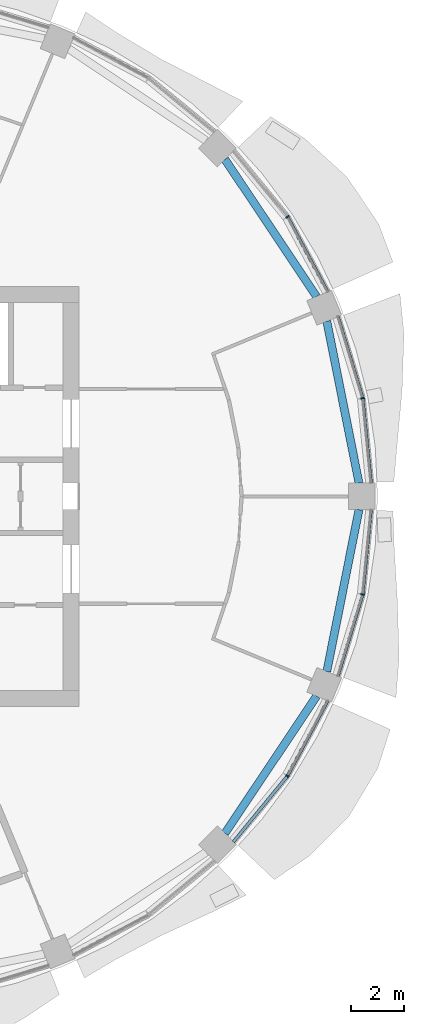
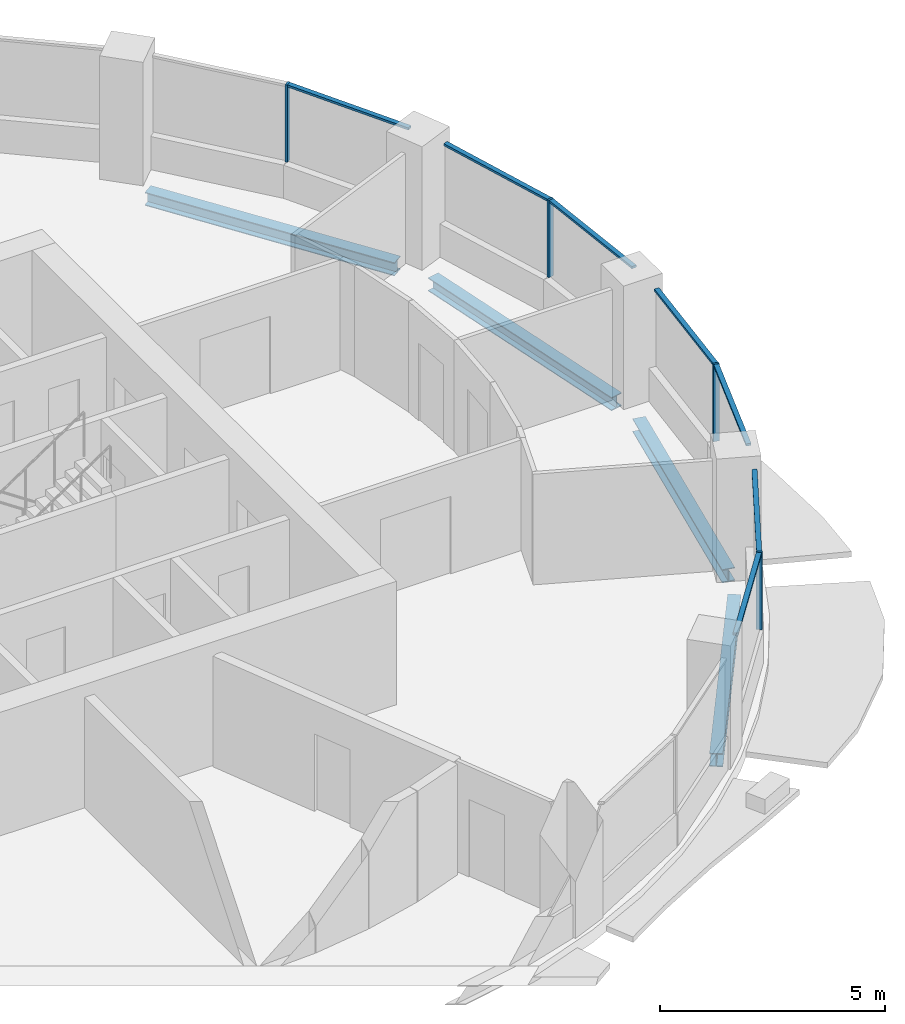
# One storey, part 5 of 15: 11 members, 4 beams, 4 elements without a shape of their own.
"""IFC4 building model written with IfcOpenShell, lengths in metres."""

from ifc_helpers import new_model, si_unit, direction, frame, origin, origin_2d, place, context, subcontext, project, spatial, rectangle, i_section, extrude, material, material_profile, profile_set, type_object, element, aggregate, save


model = new_model("IFC4")

# Units and contexts
model_context = context("Model", 3, precision=1e-05, world=origin(), true_north=direction((0.0, 1.0)))
body_context = subcontext(model_context, "Body", "Model", "MODEL_VIEW")
ifc_project = project(units=[si_unit("LENGTHUNIT", "METRE"), si_unit("AREAUNIT", "SQUARE_METRE"), si_unit("VOLUMEUNIT", "CUBIC_METRE"), si_unit("PLANEANGLEUNIT", "RADIAN"), si_unit("MASSUNIT", "GRAM", prefix="KILO")], contexts=[model_context])

# Site, building, storey
site_placement = place(None, origin())
site = spatial("IfcSite", under=ifc_project, at=site_placement, CompositionType="ELEMENT")
building_placement = place(site_placement, origin())
building = spatial("IfcBuilding", under=site, at=building_placement, Name="Polderwave Tower", CompositionType="ELEMENT")
storey_placement = place(building_placement, frame((0.0, 0.0, 120.949951171875)))
storey = spatial("IfcBuildingStorey", under=building, at=storey_placement, Name="L31", CompositionType="ELEMENT", Elevation=120.949951171875)

# Curtain wall, member
ifc_material_1 = material(Name="Aluminium 6063-T6 and glass", Category="aluminium")
curtain_wall_type = type_object("IfcCurtainWallType", Name="Office ribbon glazing wall", PredefinedType="NOTDEFINED", material=ifc_material_1)
curtain_wall_1_placement = place(storey_placement, origin())
curtain_wall_1 = element("IfcCurtainWall", 1, at=curtain_wall_1_placement, inside=storey, type_object=curtain_wall_type, Name="CW3 L31 00", PredefinedType="NOTDEFINED")
ifc_material_2 = material(Name="Aluminium 6063-T6", Category="aluminium")
ifc_material_profile_1 = material_profile(ifc_material_2, rectangle(XDim=0.139892578125, YDim=0.054931640625, at=origin_2d()), Name="AL 55x140")
ifc_profile_set_1 = profile_set([ifc_material_profile_1], Name="Aluminium 6063-T6")
member_type_1 = type_object("IfcMemberType", Name="Office ribbon glazing mullion 55x140", PredefinedType="MULLION", material=ifc_profile_set_1)
member_1_placement = place(storey_placement, frame((18.498046875, 3.678955078125, 0.900146484375), z_axis=(0.0, 0.0, 1.0), x_axis=(-0.98077778875, -0.195127981324, 0.0)))
member_1 = element("IfcMember", 2, at=member_1_placement, type_object=member_type_1, Name="CW3 mullion 1", PredefinedType="MULLION", context=body_context, shape_type="SweptSolid", body=[
    extrude(rectangle(XDim=0.139892578125, YDim=0.054931640625, at=origin_2d()), origin(), (0.0, 0.0, 1.0), 2.099853515625),
])

curtain_wall_2_placement = place(storey_placement, origin())
curtain_wall_2 = element("IfcCurtainWall", 3, at=curtain_wall_2_placement, inside=storey, type_object=curtain_wall_type, Name="CW3 L31 01", PredefinedType="NOTDEFINED")
member_2_placement = place(storey_placement, frame((15.681884765625, 10.47802734375, 0.900146484375), z_axis=(0.0, 0.0, 1.0), x_axis=(-0.831453127836, -0.555594902975, 0.0)))
member_2 = element("IfcMember", 4, at=member_2_placement, type_object=member_type_1, Name="CW3 mullion 1", PredefinedType="MULLION", context=body_context, shape_type="SweptSolid", body=[
    extrude(rectangle(XDim=0.139892578125, YDim=0.054931640625, at=origin_2d()), origin(), (0.0, 0.0, 1.0), 2.099853515625),
])

curtain_wall_3_placement = place(storey_placement, origin())
curtain_wall_3 = element("IfcCurtainWall", 5, at=curtain_wall_3_placement, inside=storey, type_object=curtain_wall_type, Name="CW3 L31 14", PredefinedType="NOTDEFINED")
member_3_placement = place(storey_placement, frame((15.681884765625, -10.47802734375, 0.900146484375), z_axis=(0.0, 0.0, 1.0), x_axis=(-0.831453127836, 0.555594902975, 0.0)))
member_3 = element("IfcMember", 6, at=member_3_placement, type_object=member_type_1, Name="CW3 mullion 1", PredefinedType="MULLION", context=body_context, shape_type="SweptSolid", body=[
    extrude(rectangle(XDim=0.139892578125, YDim=0.054931640625, at=origin_2d()), origin(), (0.0, 0.0, 1.0), 2.099853515625),
])

curtain_wall_4_placement = place(storey_placement, origin())
curtain_wall_4 = element("IfcCurtainWall", 7, at=curtain_wall_4_placement, inside=storey, type_object=curtain_wall_type, Name="CW3 L31 15", PredefinedType="NOTDEFINED")
member_4_placement = place(storey_placement, frame((18.498046875, -3.678955078125, 0.900146484375), z_axis=(0.0, 0.0, 1.0), x_axis=(-0.98077778875, 0.195127981324, 0.0)))
member_4 = element("IfcMember", 8, at=member_4_placement, type_object=member_type_1, Name="CW3 mullion 1", PredefinedType="MULLION", context=body_context, shape_type="SweptSolid", body=[
    extrude(rectangle(XDim=0.139892578125, YDim=0.054931640625, at=origin_2d()), origin(), (0.0, 0.0, 1.0), 2.099853515625),
])

# Member
ifc_material_profile_2 = material_profile(ifc_material_2, rectangle(XDim=0.1201171875, YDim=0.06005859375, at=origin_2d()), Name="AL 60x120")
ifc_profile_set_2 = profile_set([ifc_material_profile_2], Name="Aluminium 6063-T6")
member_type_2 = type_object("IfcMemberType", Name="Office ribbon glazing transom 60x120", PredefinedType="USERDEFINED", material=ifc_profile_set_2)
member_5_placement = place(storey_placement, frame((18.81103515625, 0.5, 2.969970703125), z_axis=(-0.09798465056, 0.9951879261, 0.0), x_axis=(-0.9951879261, -0.09798465056, 0.0)))
member_5 = element("IfcMember", 9, at=member_5_placement, type_object=member_type_2, Name="CW3 transom 1", ObjectType="TRANSOM", PredefinedType="USERDEFINED", context=body_context, shape_type="SweptSolid", body=[
    extrude(rectangle(XDim=0.1201171875, YDim=0.06005859375, at=origin_2d()), origin(), (0.0, 0.0, 1.0), 3.166748046875),
])

member_6_placement = place(storey_placement, frame((18.489990234375, 3.705322265625, 2.969970703125), z_axis=(-0.290358126892, 0.95691805195, 0.0), x_axis=(-0.95691805195, -0.290358126892, 0.0)))
member_6 = element("IfcMember", 10, at=member_6_placement, type_object=member_type_2, Name="CW3 transom 2", ObjectType="TRANSOM", PredefinedType="USERDEFINED", context=body_context, shape_type="SweptSolid", body=[
    extrude(rectangle(XDim=0.1201171875, YDim=0.06005859375, at=origin_2d()), origin(), (0.0, 0.0, 1.0), 3.168212890625),
])

aggregate(curtain_wall_1, [member_1, member_5, member_6])

member_7_placement = place(storey_placement, frame((17.18798828125, 7.660888671875, 2.969970703125), z_axis=(-0.471440336956, 0.881897958208, 0.0), x_axis=(-0.881897958208, -0.471440336956, 0.0)))
member_7 = element("IfcMember", 11, at=member_7_placement, type_object=member_type_2, Name="CW3 transom 1", ObjectType="TRANSOM", PredefinedType="USERDEFINED", context=body_context, shape_type="SweptSolid", body=[
    extrude(rectangle(XDim=0.1201171875, YDim=0.06005859375, at=origin_2d()), origin(), (0.0, 0.0, 1.0), 3.166748046875),
])

aggregate(curtain_wall_2, [member_2, member_7])

member_8_placement = place(storey_placement, frame((13.655029296875, -12.947998046875, 2.969970703125), z_axis=(0.634374481569, 0.773025883871, 0.0), x_axis=(-0.773025883871, 0.634374481569, 0.0)))
member_8 = element("IfcMember", 12, at=member_8_placement, type_object=member_type_2, Name="CW3 transom 1", ObjectType="TRANSOM", PredefinedType="USERDEFINED", context=body_context, shape_type="SweptSolid", body=[
    extrude(rectangle(XDim=0.1201171875, YDim=0.06005859375, at=origin_2d()), origin(), (0.0, 0.0, 1.0), 3.167724609375),
])

member_9_placement = place(storey_placement, frame((15.695068359375, -10.45361328125, 2.969970703125), z_axis=(0.471440336956, 0.881897958208, 0.0), x_axis=(-0.881897958208, 0.471440336956, 0.0)))
member_9 = element("IfcMember", 13, at=member_9_placement, type_object=member_type_2, Name="CW3 transom 2", ObjectType="TRANSOM", PredefinedType="USERDEFINED", context=body_context, shape_type="SweptSolid", body=[
    extrude(rectangle(XDim=0.1201171875, YDim=0.06005859375, at=origin_2d()), origin(), (0.0, 0.0, 1.0), 3.166748046875),
])

aggregate(curtain_wall_3, [member_3, member_8, member_9])

member_10_placement = place(storey_placement, frame((17.570068359375, -6.737060546875, 2.969970703125), z_axis=(0.290358126892, 0.95691805195, 0.0), x_axis=(-0.95691805195, 0.290358126892, 0.0)))
member_10 = element("IfcMember", 14, at=member_10_placement, type_object=member_type_2, Name="CW3 transom 1", ObjectType="TRANSOM", PredefinedType="USERDEFINED", context=body_context, shape_type="SweptSolid", body=[
    extrude(rectangle(XDim=0.1201171875, YDim=0.06005859375, at=origin_2d()), origin(), (0.0, 0.0, 1.0), 3.168212890625),
])

member_11_placement = place(storey_placement, frame((18.500732421875, -3.651611328125, 2.969970703125), z_axis=(0.09798465056, 0.9951879261, 0.0), x_axis=(-0.9951879261, 0.09798465056, 0.0)))
member_11 = element("IfcMember", 15, at=member_11_placement, type_object=member_type_2, Name="CW3 transom 2", ObjectType="TRANSOM", PredefinedType="USERDEFINED", context=body_context, shape_type="SweptSolid", body=[
    extrude(rectangle(XDim=0.1201171875, YDim=0.06005859375, at=origin_2d()), origin(), (0.0, 0.0, 1.0), 3.166748046875),
])

aggregate(curtain_wall_4, [member_4, member_10, member_11])

# Beams
ifc_material_3 = material(Name="Steel S355", Category="steel")
ifc_material_profile_3 = material_profile(ifc_material_3, i_section(OverallWidth=0.300048828125, OverallDepth=0.360107421875, WebThickness=0.012451171875, FlangeThickness=0.0224609375, at=origin_2d()), Name="HE 360 B")
ifc_profile_set_3 = profile_set([ifc_material_profile_3], Name="Steel S355")
beam_type = type_object("IfcBeamType", Name="RING BEAM HE 360 B", PredefinedType="BEAM", material=ifc_profile_set_3)
beam_1_placement = place(storey_placement, frame((18.360595703125, 0.5, -0.530029296875), z_axis=(-0.195090959886, 0.980785153523, 0.0), x_axis=(-0.980785153523, -0.195090959886, 0.0)))
element("IfcBeam", 16, at=beam_1_placement, inside=storey, type_object=beam_type, Name="ST-RB-L31-00", PredefinedType="BEAM", context=body_context, shape_type="SweptSolid", body=[
    extrude(i_section(OverallWidth=0.300048828125, OverallDepth=0.360107421875, WebThickness=0.012451171875, FlangeThickness=0.0224609375, at=origin_2d()), origin(), (0.0, 0.0, 1.0), 6.183349609375),
])
for number, where, z_axis, x_axis, name in (
    (17, (16.771484375, 7.48828125, -0.530029296875), (-0.555556426907, 0.831478837086, 0.0), (-0.831478837086, -0.555556426907, 0.0), "ST-RB-L31-01"),
    (18, (13.33642578125, -12.62939453125, -0.530029296875), (0.555556426907, 0.831478837086, 0.0), (-0.831478837086, 0.555556426907, 0.0), "ST-RB-L31-14"),
):
    element("IfcBeam", number, at=place(storey_placement, frame(where, z_axis=z_axis, x_axis=x_axis)), inside=storey, type_object=beam_type, Name=name, PredefinedType="BEAM", context=body_context, shape_type="SweptSolid", body=[
        extrude(i_section(OverallWidth=0.300048828125, OverallDepth=0.360107421875, WebThickness=0.012451171875, FlangeThickness=0.0224609375, at=origin_2d()), origin(), (0.0, 0.0, 1.0), 6.18310546875),
    ])
beam_2_placement = place(storey_placement, frame((17.154296875, -6.564453125, -0.530029296875), z_axis=(0.195090959886, 0.980785153523, 0.0), x_axis=(-0.980785153523, 0.195090959886, 0.0)))
element("IfcBeam", 19, at=beam_2_placement, inside=storey, type_object=beam_type, Name="ST-RB-L31-15", PredefinedType="BEAM", context=body_context, shape_type="SweptSolid", body=[
    extrude(i_section(OverallWidth=0.300048828125, OverallDepth=0.360107421875, WebThickness=0.012451171875, FlangeThickness=0.0224609375, at=origin_2d()), origin(), (0.0, 0.0, 1.0), 6.183349609375),
])

save(model, "model.ifc")
